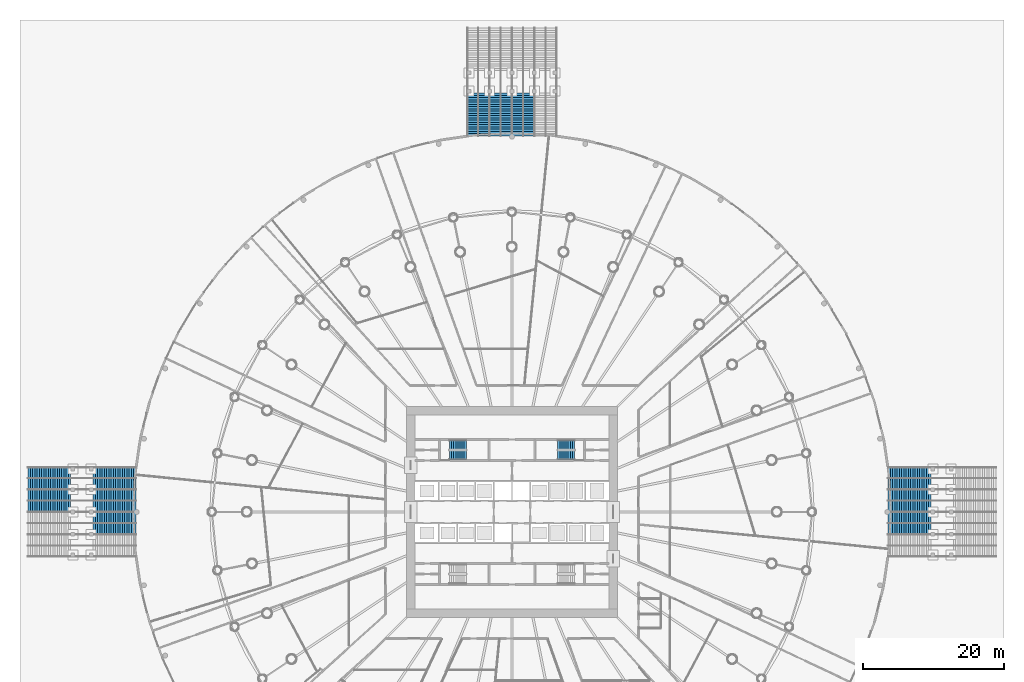
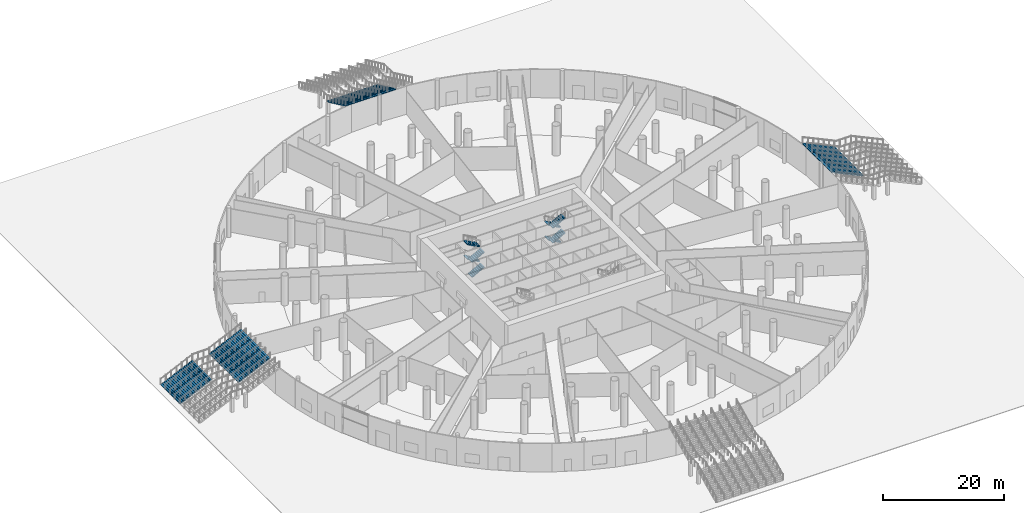
# One storey, part 25 of 33: 19 stair flights, 11 elements without a shape of their own.
"""IFC4 building model written with IfcOpenShell, lengths in metres."""

from ifc_helpers import new_model, si_unit, direction, frame, origin, place, context, subcontext, project, spatial, polyline, outline, extrude, material, type_object, element, aggregate, save


model = new_model("IFC4")

# Units and contexts
model_context = context("Model", 3, precision=1e-05, world=origin(), true_north=direction((0.0, 1.0)))
body_context = subcontext(model_context, "Body", "Model", "MODEL_VIEW")
ifc_project = project(units=[si_unit("LENGTHUNIT", "METRE"), si_unit("AREAUNIT", "SQUARE_METRE"), si_unit("VOLUMEUNIT", "CUBIC_METRE"), si_unit("PLANEANGLEUNIT", "RADIAN"), si_unit("MASSUNIT", "GRAM", prefix="KILO")], contexts=[model_context])

# Site, building, storey
site_placement = place(None, origin())
site = spatial("IfcSite", under=ifc_project, at=site_placement, CompositionType="ELEMENT")
building_placement = place(site_placement, origin())
building = spatial("IfcBuilding", under=site, at=building_placement, Name="Corvane Civic Tower", CompositionType="ELEMENT")
storey_placement = place(building_placement, origin())
storey = spatial("IfcBuildingStorey", under=building, at=storey_placement, Name="G", CompositionType="ELEMENT", Elevation=0.0)

# Stair, stair flight
ifc_material_1 = material(Name="Concrete C40/50", Category="concrete")
stair_type_1 = type_object("IfcStairType", Name="PODIUM-ST-BROAD-EXT", PredefinedType="USERDEFINED", material=ifc_material_1)
stair_1_placement = place(storey_placement, origin())
stair_1 = element("IfcStair", 1, at=stair_1_placement, inside=storey, type_object=stair_type_1, Name="Broad exterior stair north run B", ObjectType="BROAD STEPS", PredefinedType="USERDEFINED")
ifc_material_2 = material(Name="Concrete C40/50", Category="concrete")
stair_flight_type_1 = type_object("IfcStairFlightType", Name="PODIUM-SFL-BROAD-C40", PredefinedType="STRAIGHT", material=ifc_material_2)
stair_flight_1_placement = place(storey_placement, frame((1.60009765625, 59.580078125, 3.0), z_axis=(0.0, 0.0, 1.0), x_axis=(0.0, -1.0, 0.0)))
stair_flight_1 = element("IfcStairFlight", 2, at=stair_flight_1_placement, type_object=stair_flight_type_1, Name="BS1-B flight 2", NumberOfRisers=20, NumberOfTreads=19, PredefinedType="STRAIGHT", RiserHeight=0.15, TreadLength=0.32, context=body_context, shape_type="SweptSolid", body=[
    extrude(outline(polyline([(0.0, 0.0), (0.0, 0.14990234375), (0.320068359375, 0.14990234375), (0.320068359375, 0.300048828125), (0.639892578125, 0.300048828125), (0.639892578125, 0.449951171875), (0.9599609375, 0.449951171875), (0.9599609375, 0.60009765625), (1.280029296875, 0.60009765625), (1.280029296875, 0.75), (1.60009765625, 0.75), (1.60009765625, 0.89990234375), (1.919921875, 0.89990234375), (1.919921875, 1.050048828125), (2.239990234375, 1.050048828125), (2.239990234375, 1.199951171875), (2.56005859375, 1.199951171875), (2.56005859375, 1.35009765625), (2.8798828125, 1.35009765625), (2.8798828125, 1.5), (3.199951171875, 1.5), (3.199951171875, 1.64990234375), (3.52001953125, 1.64990234375), (3.52001953125, 1.800048828125), (3.840087890625, 1.800048828125), (3.840087890625, 1.949951171875), (4.159912109375, 1.949951171875), (4.159912109375, 2.10009765625), (4.47998046875, 2.10009765625), (4.47998046875, 2.25), (4.800048828125, 2.25), (4.800048828125, 2.39990234375), (5.1201171875, 2.39990234375), (5.1201171875, 2.550048828125), (5.43994140625, 2.550048828125), (5.43994140625, 2.699951171875), (5.760009765625, 2.699951171875), (5.760009765625, 2.85009765625), (6.080078125, 2.85009765625), (6.080078125, 3.0), (6.080078125, 2.684326171875), (0.353271484375, 0.0), (0.0, 0.0)])), frame((0.0, 1.60009765625, 0.0), z_axis=(0.0, -1.0, 0.0), x_axis=(1.0, 0.0, 0.0)), (0.0, 0.0, 1.0), 3.199951171875),
])
aggregate(stair_1, [stair_flight_1])

stair_2_placement = place(storey_placement, origin())
stair_2 = element("IfcStair", 3, at=stair_2_placement, inside=storey, type_object=stair_type_1, Name="Broad exterior stair north run C", ObjectType="BROAD STEPS", PredefinedType="USERDEFINED")
stair_flight_2_placement = place(storey_placement, frame((-1.60009765625, 59.580078125, 3.0), z_axis=(0.0, 0.0, 1.0), x_axis=(0.0, -1.0, 0.0)))
stair_flight_2 = element("IfcStairFlight", 4, at=stair_flight_2_placement, type_object=stair_flight_type_1, Name="BS1-C flight 2", NumberOfRisers=20, NumberOfTreads=19, PredefinedType="STRAIGHT", RiserHeight=0.15, TreadLength=0.32, context=body_context, shape_type="SweptSolid", body=[
    extrude(outline(polyline([(0.0, 0.0), (0.0, 0.14990234375), (0.320068359375, 0.14990234375), (0.320068359375, 0.300048828125), (0.639892578125, 0.300048828125), (0.639892578125, 0.449951171875), (0.9599609375, 0.449951171875), (0.9599609375, 0.60009765625), (1.280029296875, 0.60009765625), (1.280029296875, 0.75), (1.60009765625, 0.75), (1.60009765625, 0.89990234375), (1.919921875, 0.89990234375), (1.919921875, 1.050048828125), (2.239990234375, 1.050048828125), (2.239990234375, 1.199951171875), (2.56005859375, 1.199951171875), (2.56005859375, 1.35009765625), (2.8798828125, 1.35009765625), (2.8798828125, 1.5), (3.199951171875, 1.5), (3.199951171875, 1.64990234375), (3.52001953125, 1.64990234375), (3.52001953125, 1.800048828125), (3.840087890625, 1.800048828125), (3.840087890625, 1.949951171875), (4.159912109375, 1.949951171875), (4.159912109375, 2.10009765625), (4.47998046875, 2.10009765625), (4.47998046875, 2.25), (4.800048828125, 2.25), (4.800048828125, 2.39990234375), (5.1201171875, 2.39990234375), (5.1201171875, 2.550048828125), (5.43994140625, 2.550048828125), (5.43994140625, 2.699951171875), (5.760009765625, 2.699951171875), (5.760009765625, 2.85009765625), (6.080078125, 2.85009765625), (6.080078125, 3.0), (6.080078125, 2.684326171875), (0.353271484375, 0.0), (0.0, 0.0)])), frame((0.0, 1.60009765625, 0.0), z_axis=(0.0, -1.0, 0.0), x_axis=(1.0, 0.0, 0.0)), (0.0, 0.0, 1.0), 3.199951171875),
])
aggregate(stair_2, [stair_flight_2])

stair_3_placement = place(storey_placement, origin())
stair_3 = element("IfcStair", 5, at=stair_3_placement, inside=storey, type_object=stair_type_1, Name="Broad exterior stair north run D", ObjectType="BROAD STEPS", PredefinedType="USERDEFINED")
stair_flight_3_placement = place(storey_placement, frame((-4.800048828125, 59.580078125, 3.0), z_axis=(0.0, 0.0, 1.0), x_axis=(0.0, -1.0, 0.0)))
stair_flight_3 = element("IfcStairFlight", 6, at=stair_flight_3_placement, type_object=stair_flight_type_1, Name="BS1-D flight 2", NumberOfRisers=20, NumberOfTreads=19, PredefinedType="STRAIGHT", RiserHeight=0.15, TreadLength=0.32, context=body_context, shape_type="SweptSolid", body=[
    extrude(outline(polyline([(0.0, 0.0), (0.0, 0.14990234375), (0.320068359375, 0.14990234375), (0.320068359375, 0.300048828125), (0.639892578125, 0.300048828125), (0.639892578125, 0.449951171875), (0.9599609375, 0.449951171875), (0.9599609375, 0.60009765625), (1.280029296875, 0.60009765625), (1.280029296875, 0.75), (1.60009765625, 0.75), (1.60009765625, 0.89990234375), (1.919921875, 0.89990234375), (1.919921875, 1.050048828125), (2.239990234375, 1.050048828125), (2.239990234375, 1.199951171875), (2.56005859375, 1.199951171875), (2.56005859375, 1.35009765625), (2.8798828125, 1.35009765625), (2.8798828125, 1.5), (3.199951171875, 1.5), (3.199951171875, 1.64990234375), (3.52001953125, 1.64990234375), (3.52001953125, 1.800048828125), (3.840087890625, 1.800048828125), (3.840087890625, 1.949951171875), (4.159912109375, 1.949951171875), (4.159912109375, 2.10009765625), (4.47998046875, 2.10009765625), (4.47998046875, 2.25), (4.800048828125, 2.25), (4.800048828125, 2.39990234375), (5.1201171875, 2.39990234375), (5.1201171875, 2.550048828125), (5.43994140625, 2.550048828125), (5.43994140625, 2.699951171875), (5.760009765625, 2.699951171875), (5.760009765625, 2.85009765625), (6.080078125, 2.85009765625), (6.080078125, 3.0), (6.080078125, 2.684326171875), (0.353271484375, 0.0), (0.0, 0.0)])), frame((0.0, 1.60009765625, 0.0), z_axis=(0.0, -1.0, 0.0), x_axis=(1.0, 0.0, 0.0)), (0.0, 0.0, 1.0), 3.199951171875),
])
aggregate(stair_3, [stair_flight_3])

stair_4_placement = place(storey_placement, origin())
stair_4 = element("IfcStair", 7, at=stair_4_placement, inside=storey, type_object=stair_type_1, Name="Broad exterior stair east run B", ObjectType="BROAD STEPS", PredefinedType="USERDEFINED")
stair_flight_4_placement = place(storey_placement, frame((59.580078125, -1.60009765625, 3.0), z_axis=(0.0, 0.0, 1.0), x_axis=(-1.0, 0.0, 0.0)))
stair_flight_4 = element("IfcStairFlight", 8, at=stair_flight_4_placement, type_object=stair_flight_type_1, Name="BS2-B flight 2", NumberOfRisers=20, NumberOfTreads=19, PredefinedType="STRAIGHT", RiserHeight=0.15, TreadLength=0.32, context=body_context, shape_type="SweptSolid", body=[
    extrude(outline(polyline([(0.0, 0.0), (0.0, 0.14990234375), (0.320068359375, 0.14990234375), (0.320068359375, 0.300048828125), (0.639892578125, 0.300048828125), (0.639892578125, 0.449951171875), (0.9599609375, 0.449951171875), (0.9599609375, 0.60009765625), (1.280029296875, 0.60009765625), (1.280029296875, 0.75), (1.60009765625, 0.75), (1.60009765625, 0.89990234375), (1.919921875, 0.89990234375), (1.919921875, 1.050048828125), (2.239990234375, 1.050048828125), (2.239990234375, 1.199951171875), (2.56005859375, 1.199951171875), (2.56005859375, 1.35009765625), (2.8798828125, 1.35009765625), (2.8798828125, 1.5), (3.199951171875, 1.5), (3.199951171875, 1.64990234375), (3.52001953125, 1.64990234375), (3.52001953125, 1.800048828125), (3.840087890625, 1.800048828125), (3.840087890625, 1.949951171875), (4.159912109375, 1.949951171875), (4.159912109375, 2.10009765625), (4.47998046875, 2.10009765625), (4.47998046875, 2.25), (4.800048828125, 2.25), (4.800048828125, 2.39990234375), (5.1201171875, 2.39990234375), (5.1201171875, 2.550048828125), (5.43994140625, 2.550048828125), (5.43994140625, 2.699951171875), (5.760009765625, 2.699951171875), (5.760009765625, 2.85009765625), (6.080078125, 2.85009765625), (6.080078125, 3.0), (6.080078125, 2.684326171875), (0.353271484375, 0.0), (0.0, 0.0)])), frame((0.0, 1.60009765625, 0.0), z_axis=(0.0, -1.0, 0.0), x_axis=(1.0, 0.0, 0.0)), (0.0, 0.0, 1.0), 3.199951171875),
])
aggregate(stair_4, [stair_flight_4])

stair_5_placement = place(storey_placement, origin())
stair_5 = element("IfcStair", 9, at=stair_5_placement, inside=storey, type_object=stair_type_1, Name="Broad exterior stair east run C", ObjectType="BROAD STEPS", PredefinedType="USERDEFINED")
stair_flight_5_placement = place(storey_placement, frame((59.580078125, 1.60009765625, 3.0), z_axis=(0.0, 0.0, 1.0), x_axis=(-1.0, 0.0, 0.0)))
stair_flight_5 = element("IfcStairFlight", 10, at=stair_flight_5_placement, type_object=stair_flight_type_1, Name="BS2-C flight 2", NumberOfRisers=20, NumberOfTreads=19, PredefinedType="STRAIGHT", RiserHeight=0.15, TreadLength=0.32, context=body_context, shape_type="SweptSolid", body=[
    extrude(outline(polyline([(0.0, 0.0), (0.0, 0.14990234375), (0.320068359375, 0.14990234375), (0.320068359375, 0.300048828125), (0.639892578125, 0.300048828125), (0.639892578125, 0.449951171875), (0.9599609375, 0.449951171875), (0.9599609375, 0.60009765625), (1.280029296875, 0.60009765625), (1.280029296875, 0.75), (1.60009765625, 0.75), (1.60009765625, 0.89990234375), (1.919921875, 0.89990234375), (1.919921875, 1.050048828125), (2.239990234375, 1.050048828125), (2.239990234375, 1.199951171875), (2.56005859375, 1.199951171875), (2.56005859375, 1.35009765625), (2.8798828125, 1.35009765625), (2.8798828125, 1.5), (3.199951171875, 1.5), (3.199951171875, 1.64990234375), (3.52001953125, 1.64990234375), (3.52001953125, 1.800048828125), (3.840087890625, 1.800048828125), (3.840087890625, 1.949951171875), (4.159912109375, 1.949951171875), (4.159912109375, 2.10009765625), (4.47998046875, 2.10009765625), (4.47998046875, 2.25), (4.800048828125, 2.25), (4.800048828125, 2.39990234375), (5.1201171875, 2.39990234375), (5.1201171875, 2.550048828125), (5.43994140625, 2.550048828125), (5.43994140625, 2.699951171875), (5.760009765625, 2.699951171875), (5.760009765625, 2.85009765625), (6.080078125, 2.85009765625), (6.080078125, 3.0), (6.080078125, 2.684326171875), (0.353271484375, 0.0), (0.0, 0.0)])), frame((0.0, 1.60009765625, 0.0), z_axis=(0.0, -1.0, 0.0), x_axis=(1.0, 0.0, 0.0)), (0.0, 0.0, 1.0), 3.199951171875),
])
aggregate(stair_5, [stair_flight_5])

stair_6_placement = place(storey_placement, origin())
stair_6 = element("IfcStair", 11, at=stair_6_placement, inside=storey, type_object=stair_type_1, Name="Broad exterior stair east run D", ObjectType="BROAD STEPS", PredefinedType="USERDEFINED")
stair_flight_6_placement = place(storey_placement, frame((59.580078125, 4.800048828125, 3.0), z_axis=(0.0, 0.0, 1.0), x_axis=(-1.0, 0.0, 0.0)))
stair_flight_6 = element("IfcStairFlight", 12, at=stair_flight_6_placement, type_object=stair_flight_type_1, Name="BS2-D flight 2", NumberOfRisers=20, NumberOfTreads=19, PredefinedType="STRAIGHT", RiserHeight=0.15, TreadLength=0.32, context=body_context, shape_type="SweptSolid", body=[
    extrude(outline(polyline([(0.0, 0.0), (0.0, 0.14990234375), (0.320068359375, 0.14990234375), (0.320068359375, 0.300048828125), (0.639892578125, 0.300048828125), (0.639892578125, 0.449951171875), (0.9599609375, 0.449951171875), (0.9599609375, 0.60009765625), (1.280029296875, 0.60009765625), (1.280029296875, 0.75), (1.60009765625, 0.75), (1.60009765625, 0.89990234375), (1.919921875, 0.89990234375), (1.919921875, 1.050048828125), (2.239990234375, 1.050048828125), (2.239990234375, 1.199951171875), (2.56005859375, 1.199951171875), (2.56005859375, 1.35009765625), (2.8798828125, 1.35009765625), (2.8798828125, 1.5), (3.199951171875, 1.5), (3.199951171875, 1.64990234375), (3.52001953125, 1.64990234375), (3.52001953125, 1.800048828125), (3.840087890625, 1.800048828125), (3.840087890625, 1.949951171875), (4.159912109375, 1.949951171875), (4.159912109375, 2.10009765625), (4.47998046875, 2.10009765625), (4.47998046875, 2.25), (4.800048828125, 2.25), (4.800048828125, 2.39990234375), (5.1201171875, 2.39990234375), (5.1201171875, 2.550048828125), (5.43994140625, 2.550048828125), (5.43994140625, 2.699951171875), (5.760009765625, 2.699951171875), (5.760009765625, 2.85009765625), (6.080078125, 2.85009765625), (6.080078125, 3.0), (6.080078125, 2.684326171875), (0.353271484375, 0.0), (0.0, 0.0)])), frame((0.0, 1.60009765625, 0.0), z_axis=(0.0, -1.0, 0.0), x_axis=(1.0, 0.0, 0.0)), (0.0, 0.0, 1.0), 3.199951171875),
])
aggregate(stair_6, [stair_flight_6])

# Stair, stair flights
stair_7_placement = place(storey_placement, origin())
stair_7 = element("IfcStair", 13, at=stair_7_placement, inside=storey, type_object=stair_type_1, Name="Broad exterior stair west run A", ObjectType="BROAD STEPS", PredefinedType="USERDEFINED")
stair_flight_7_placement = place(storey_placement, frame((-68.860107421875, 4.800048828125, 0.0), z_axis=(0.0, 0.0, 1.0), x_axis=(1.0, 0.0, 0.0)))
stair_flight_7 = element("IfcStairFlight", 14, at=stair_flight_7_placement, type_object=stair_flight_type_1, Name="BS4-A flight 1", NumberOfRisers=20, NumberOfTreads=19, PredefinedType="STRAIGHT", RiserHeight=0.15, TreadLength=0.32, context=body_context, shape_type="SweptSolid", body=[
    extrude(outline(polyline([(0.0, 0.0), (0.0, 0.14990234375), (0.320068359375, 0.14990234375), (0.320068359375, 0.300048828125), (0.639892578125, 0.300048828125), (0.639892578125, 0.449951171875), (0.9599609375, 0.449951171875), (0.9599609375, 0.60009765625), (1.280029296875, 0.60009765625), (1.280029296875, 0.75), (1.60009765625, 0.75), (1.60009765625, 0.89990234375), (1.919921875, 0.89990234375), (1.919921875, 1.050048828125), (2.239990234375, 1.050048828125), (2.239990234375, 1.199951171875), (2.56005859375, 1.199951171875), (2.56005859375, 1.35009765625), (2.8798828125, 1.35009765625), (2.8798828125, 1.5), (3.199951171875, 1.5), (3.199951171875, 1.64990234375), (3.52001953125, 1.64990234375), (3.52001953125, 1.800048828125), (3.840087890625, 1.800048828125), (3.840087890625, 1.949951171875), (4.159912109375, 1.949951171875), (4.159912109375, 2.10009765625), (4.47998046875, 2.10009765625), (4.47998046875, 2.25), (4.800048828125, 2.25), (4.800048828125, 2.39990234375), (5.1201171875, 2.39990234375), (5.1201171875, 2.550048828125), (5.43994140625, 2.550048828125), (5.43994140625, 2.699951171875), (5.760009765625, 2.699951171875), (5.760009765625, 2.85009765625), (6.080078125, 2.85009765625), (6.080078125, 3.0), (6.080078125, 2.684326171875), (0.353271484375, 0.0), (0.0, 0.0)])), frame((0.0, 1.60009765625, 0.0), z_axis=(0.0, -1.0, 0.0), x_axis=(1.0, 0.0, 0.0)), (0.0, 0.0, 1.0), 3.199951171875),
])
stair_flight_8_placement = place(storey_placement, frame((-59.580078125, 4.800048828125, 3.0), z_axis=(0.0, 0.0, 1.0), x_axis=(1.0, 0.0, 0.0)))
stair_flight_8 = element("IfcStairFlight", 15, at=stair_flight_8_placement, type_object=stair_flight_type_1, Name="BS4-A flight 2", NumberOfRisers=20, NumberOfTreads=19, PredefinedType="STRAIGHT", RiserHeight=0.15, TreadLength=0.32, context=body_context, shape_type="SweptSolid", body=[
    extrude(outline(polyline([(0.0, 0.0), (0.0, 0.14990234375), (0.320068359375, 0.14990234375), (0.320068359375, 0.300048828125), (0.639892578125, 0.300048828125), (0.639892578125, 0.449951171875), (0.9599609375, 0.449951171875), (0.9599609375, 0.60009765625), (1.280029296875, 0.60009765625), (1.280029296875, 0.75), (1.60009765625, 0.75), (1.60009765625, 0.89990234375), (1.919921875, 0.89990234375), (1.919921875, 1.050048828125), (2.239990234375, 1.050048828125), (2.239990234375, 1.199951171875), (2.56005859375, 1.199951171875), (2.56005859375, 1.35009765625), (2.8798828125, 1.35009765625), (2.8798828125, 1.5), (3.199951171875, 1.5), (3.199951171875, 1.64990234375), (3.52001953125, 1.64990234375), (3.52001953125, 1.800048828125), (3.840087890625, 1.800048828125), (3.840087890625, 1.949951171875), (4.159912109375, 1.949951171875), (4.159912109375, 2.10009765625), (4.47998046875, 2.10009765625), (4.47998046875, 2.25), (4.800048828125, 2.25), (4.800048828125, 2.39990234375), (5.1201171875, 2.39990234375), (5.1201171875, 2.550048828125), (5.43994140625, 2.550048828125), (5.43994140625, 2.699951171875), (5.760009765625, 2.699951171875), (5.760009765625, 2.85009765625), (6.080078125, 2.85009765625), (6.080078125, 3.0), (6.080078125, 2.684326171875), (0.353271484375, 0.0), (0.0, 0.0)])), frame((0.0, 1.60009765625, 0.0), z_axis=(0.0, -1.0, 0.0), x_axis=(1.0, 0.0, 0.0)), (0.0, 0.0, 1.0), 3.199951171875),
])
aggregate(stair_7, [stair_flight_7, stair_flight_8])

stair_8_placement = place(storey_placement, origin())
stair_8 = element("IfcStair", 16, at=stair_8_placement, inside=storey, type_object=stair_type_1, Name="Broad exterior stair west run B", ObjectType="BROAD STEPS", PredefinedType="USERDEFINED")
stair_flight_9_placement = place(storey_placement, frame((-68.860107421875, 1.60009765625, 0.0), z_axis=(0.0, 0.0, 1.0), x_axis=(1.0, 0.0, 0.0)))
stair_flight_9 = element("IfcStairFlight", 17, at=stair_flight_9_placement, type_object=stair_flight_type_1, Name="BS4-B flight 1", NumberOfRisers=20, NumberOfTreads=19, PredefinedType="STRAIGHT", RiserHeight=0.15, TreadLength=0.32, context=body_context, shape_type="SweptSolid", body=[
    extrude(outline(polyline([(0.0, 0.0), (0.0, 0.14990234375), (0.320068359375, 0.14990234375), (0.320068359375, 0.300048828125), (0.639892578125, 0.300048828125), (0.639892578125, 0.449951171875), (0.9599609375, 0.449951171875), (0.9599609375, 0.60009765625), (1.280029296875, 0.60009765625), (1.280029296875, 0.75), (1.60009765625, 0.75), (1.60009765625, 0.89990234375), (1.919921875, 0.89990234375), (1.919921875, 1.050048828125), (2.239990234375, 1.050048828125), (2.239990234375, 1.199951171875), (2.56005859375, 1.199951171875), (2.56005859375, 1.35009765625), (2.8798828125, 1.35009765625), (2.8798828125, 1.5), (3.199951171875, 1.5), (3.199951171875, 1.64990234375), (3.52001953125, 1.64990234375), (3.52001953125, 1.800048828125), (3.840087890625, 1.800048828125), (3.840087890625, 1.949951171875), (4.159912109375, 1.949951171875), (4.159912109375, 2.10009765625), (4.47998046875, 2.10009765625), (4.47998046875, 2.25), (4.800048828125, 2.25), (4.800048828125, 2.39990234375), (5.1201171875, 2.39990234375), (5.1201171875, 2.550048828125), (5.43994140625, 2.550048828125), (5.43994140625, 2.699951171875), (5.760009765625, 2.699951171875), (5.760009765625, 2.85009765625), (6.080078125, 2.85009765625), (6.080078125, 3.0), (6.080078125, 2.684326171875), (0.353271484375, 0.0), (0.0, 0.0)])), frame((0.0, 1.60009765625, 0.0), z_axis=(0.0, -1.0, 0.0), x_axis=(1.0, 0.0, 0.0)), (0.0, 0.0, 1.0), 3.199951171875),
])
stair_flight_10_placement = place(storey_placement, frame((-59.580078125, 1.60009765625, 3.0), z_axis=(0.0, 0.0, 1.0), x_axis=(1.0, 0.0, 0.0)))
stair_flight_10 = element("IfcStairFlight", 18, at=stair_flight_10_placement, type_object=stair_flight_type_1, Name="BS4-B flight 2", NumberOfRisers=20, NumberOfTreads=19, PredefinedType="STRAIGHT", RiserHeight=0.15, TreadLength=0.32, context=body_context, shape_type="SweptSolid", body=[
    extrude(outline(polyline([(0.0, 0.0), (0.0, 0.14990234375), (0.320068359375, 0.14990234375), (0.320068359375, 0.300048828125), (0.639892578125, 0.300048828125), (0.639892578125, 0.449951171875), (0.9599609375, 0.449951171875), (0.9599609375, 0.60009765625), (1.280029296875, 0.60009765625), (1.280029296875, 0.75), (1.60009765625, 0.75), (1.60009765625, 0.89990234375), (1.919921875, 0.89990234375), (1.919921875, 1.050048828125), (2.239990234375, 1.050048828125), (2.239990234375, 1.199951171875), (2.56005859375, 1.199951171875), (2.56005859375, 1.35009765625), (2.8798828125, 1.35009765625), (2.8798828125, 1.5), (3.199951171875, 1.5), (3.199951171875, 1.64990234375), (3.52001953125, 1.64990234375), (3.52001953125, 1.800048828125), (3.840087890625, 1.800048828125), (3.840087890625, 1.949951171875), (4.159912109375, 1.949951171875), (4.159912109375, 2.10009765625), (4.47998046875, 2.10009765625), (4.47998046875, 2.25), (4.800048828125, 2.25), (4.800048828125, 2.39990234375), (5.1201171875, 2.39990234375), (5.1201171875, 2.550048828125), (5.43994140625, 2.550048828125), (5.43994140625, 2.699951171875), (5.760009765625, 2.699951171875), (5.760009765625, 2.85009765625), (6.080078125, 2.85009765625), (6.080078125, 3.0), (6.080078125, 2.684326171875), (0.353271484375, 0.0), (0.0, 0.0)])), frame((0.0, 1.60009765625, 0.0), z_axis=(0.0, -1.0, 0.0), x_axis=(1.0, 0.0, 0.0)), (0.0, 0.0, 1.0), 3.199951171875),
])
aggregate(stair_8, [stair_flight_9, stair_flight_10])

# Stair, stair flight
stair_9_placement = place(storey_placement, origin())
stair_9 = element("IfcStair", 19, at=stair_9_placement, inside=storey, type_object=stair_type_1, Name="Broad exterior stair west run C", ObjectType="BROAD STEPS", PredefinedType="USERDEFINED")
stair_flight_11_placement = place(storey_placement, frame((-59.580078125, -1.60009765625, 3.0), z_axis=(0.0, 0.0, 1.0), x_axis=(1.0, 0.0, 0.0)))
stair_flight_11 = element("IfcStairFlight", 20, at=stair_flight_11_placement, type_object=stair_flight_type_1, Name="BS4-C flight 2", NumberOfRisers=20, NumberOfTreads=19, PredefinedType="STRAIGHT", RiserHeight=0.15, TreadLength=0.32, context=body_context, shape_type="SweptSolid", body=[
    extrude(outline(polyline([(0.0, 0.0), (0.0, 0.14990234375), (0.320068359375, 0.14990234375), (0.320068359375, 0.300048828125), (0.639892578125, 0.300048828125), (0.639892578125, 0.449951171875), (0.9599609375, 0.449951171875), (0.9599609375, 0.60009765625), (1.280029296875, 0.60009765625), (1.280029296875, 0.75), (1.60009765625, 0.75), (1.60009765625, 0.89990234375), (1.919921875, 0.89990234375), (1.919921875, 1.050048828125), (2.239990234375, 1.050048828125), (2.239990234375, 1.199951171875), (2.56005859375, 1.199951171875), (2.56005859375, 1.35009765625), (2.8798828125, 1.35009765625), (2.8798828125, 1.5), (3.199951171875, 1.5), (3.199951171875, 1.64990234375), (3.52001953125, 1.64990234375), (3.52001953125, 1.800048828125), (3.840087890625, 1.800048828125), (3.840087890625, 1.949951171875), (4.159912109375, 1.949951171875), (4.159912109375, 2.10009765625), (4.47998046875, 2.10009765625), (4.47998046875, 2.25), (4.800048828125, 2.25), (4.800048828125, 2.39990234375), (5.1201171875, 2.39990234375), (5.1201171875, 2.550048828125), (5.43994140625, 2.550048828125), (5.43994140625, 2.699951171875), (5.760009765625, 2.699951171875), (5.760009765625, 2.85009765625), (6.080078125, 2.85009765625), (6.080078125, 3.0), (6.080078125, 2.684326171875), (0.353271484375, 0.0), (0.0, 0.0)])), frame((0.0, 1.60009765625, 0.0), z_axis=(0.0, -1.0, 0.0), x_axis=(1.0, 0.0, 0.0)), (0.0, 0.0, 1.0), 3.199951171875),
])
aggregate(stair_9, [stair_flight_11])

# Stair, stair flights
ifc_material_3 = material(Name="Concrete C40/50", Category="concrete")
stair_type_2 = type_object("IfcStairType", Name="ST-STAIR-HALFTURN", PredefinedType="HALF_TURN_STAIR", material=ifc_material_3)
stair_10_placement = place(storey_placement, origin())
stair_10 = element("IfcStair", 21, at=stair_10_placement, inside=storey, type_object=stair_type_2, Name="G Exit stair ST1", PredefinedType="HALF_TURN_STAIR")
ifc_material_4 = material(Name="Concrete C40/50", Category="concrete")
stair_flight_type_2 = type_object("IfcStairFlightType", Name="ST-FLIGHT-RC", PredefinedType="STRAIGHT", material=ifc_material_4)
stair_flight_12_placement = place(storey_placement, frame((8.89990234375, 9.550048828125, 0.0), z_axis=(0.0, 0.0, 1.0), x_axis=(-1.0, 0.0, 0.0)))
stair_flight_12 = element("IfcStairFlight", 22, at=stair_flight_12_placement, type_object=stair_flight_type_2, Name="ST1 flight 1", NumberOfRisers=9, NumberOfTreads=8, PredefinedType="STRAIGHT", RiserHeight=0.166666667, TreadLength=0.3, context=body_context, shape_type="SweptSolid", body=[
    extrude(outline(polyline([(0.0, 0.0), (0.0, 0.166748046875), (0.300048828125, 0.166748046875), (0.300048828125, 0.333251953125), (0.60009765625, 0.333251953125), (0.60009765625, 0.5), (0.89990234375, 0.5), (0.89990234375, 0.666748046875), (1.199951171875, 0.666748046875), (1.199951171875, 0.833251953125), (1.5, 0.833251953125), (1.5, 1.0), (1.800048828125, 1.0), (1.800048828125, 1.166748046875), (2.10009765625, 1.166748046875), (2.10009765625, 1.333251953125), (2.39990234375, 1.333251953125), (2.39990234375, 1.5), (2.39990234375, 1.161865234375), (0.30859375, 0.0), (0.0, 0.0)])), frame((0.0, 0.64990234375, 0.0), z_axis=(0.0, -1.0, 0.0), x_axis=(1.0, 0.0, 0.0)), (0.0, 0.0, 1.0), 1.300048828125),
])
stair_flight_13_placement = place(storey_placement, frame((6.5, 8.10009765625, 1.5), z_axis=(0.0, 0.0, 1.0), x_axis=(1.0, 0.0, 0.0)))
stair_flight_13 = element("IfcStairFlight", 23, at=stair_flight_13_placement, type_object=stair_flight_type_2, Name="ST1 flight 2", NumberOfRisers=9, NumberOfTreads=8, PredefinedType="STRAIGHT", RiserHeight=0.166666667, TreadLength=0.3, context=body_context, shape_type="SweptSolid", body=[
    extrude(outline(polyline([(0.0, 0.0), (0.0, 0.166748046875), (0.300048828125, 0.166748046875), (0.300048828125, 0.333251953125), (0.60009765625, 0.333251953125), (0.60009765625, 0.5), (0.89990234375, 0.5), (0.89990234375, 0.666748046875), (1.199951171875, 0.666748046875), (1.199951171875, 0.833251953125), (1.5, 0.833251953125), (1.5, 1.0), (1.800048828125, 1.0), (1.800048828125, 1.166748046875), (2.10009765625, 1.166748046875), (2.10009765625, 1.333251953125), (2.39990234375, 1.333251953125), (2.39990234375, 1.5), (2.39990234375, 1.161865234375), (0.30859375, 0.0), (0.0, 0.0)])), frame((0.0, 0.64990234375, 0.0), z_axis=(0.0, -1.0, 0.0), x_axis=(1.0, 0.0, 0.0)), (0.0, 0.0, 1.0), 1.300048828125),
])
stair_flight_14_placement = place(storey_placement, frame((8.89990234375, 9.550048828125, 3.0), z_axis=(0.0, 0.0, 1.0), x_axis=(-1.0, 0.0, 0.0)))
stair_flight_14 = element("IfcStairFlight", 24, at=stair_flight_14_placement, type_object=stair_flight_type_2, Name="ST1 flight 3", NumberOfRisers=9, NumberOfTreads=8, PredefinedType="STRAIGHT", RiserHeight=0.166666667, TreadLength=0.3, context=body_context, shape_type="SweptSolid", body=[
    extrude(outline(polyline([(0.0, 0.0), (0.0, 0.166748046875), (0.300048828125, 0.166748046875), (0.300048828125, 0.333251953125), (0.60009765625, 0.333251953125), (0.60009765625, 0.5), (0.89990234375, 0.5), (0.89990234375, 0.666748046875), (1.199951171875, 0.666748046875), (1.199951171875, 0.833251953125), (1.5, 0.833251953125), (1.5, 1.0), (1.800048828125, 1.0), (1.800048828125, 1.166748046875), (2.10009765625, 1.166748046875), (2.10009765625, 1.333251953125), (2.39990234375, 1.333251953125), (2.39990234375, 1.5), (2.39990234375, 1.161865234375), (0.30859375, 0.0), (0.0, 0.0)])), frame((0.0, 0.64990234375, 0.0), z_axis=(0.0, -1.0, 0.0), x_axis=(1.0, 0.0, 0.0)), (0.0, 0.0, 1.0), 1.300048828125),
])
stair_flight_15_placement = place(storey_placement, frame((6.5, 8.10009765625, 4.5), z_axis=(0.0, 0.0, 1.0), x_axis=(1.0, 0.0, 0.0)))
stair_flight_15 = element("IfcStairFlight", 25, at=stair_flight_15_placement, type_object=stair_flight_type_2, Name="ST1 flight 4", NumberOfRisers=9, NumberOfTreads=8, PredefinedType="STRAIGHT", RiserHeight=0.166666667, TreadLength=0.3, context=body_context, shape_type="SweptSolid", body=[
    extrude(outline(polyline([(0.0, 0.0), (0.0, 0.166748046875), (0.300048828125, 0.166748046875), (0.300048828125, 0.333251953125), (0.60009765625, 0.333251953125), (0.60009765625, 0.5), (0.89990234375, 0.5), (0.89990234375, 0.666748046875), (1.199951171875, 0.666748046875), (1.199951171875, 0.833251953125), (1.5, 0.833251953125), (1.5, 1.0), (1.800048828125, 1.0), (1.800048828125, 1.166748046875), (2.10009765625, 1.166748046875), (2.10009765625, 1.333251953125), (2.39990234375, 1.333251953125), (2.39990234375, 1.5), (2.39990234375, 1.161865234375), (0.30859375, 0.0), (0.0, 0.0)])), frame((0.0, 0.64990234375, 0.0), z_axis=(0.0, -1.0, 0.0), x_axis=(1.0, 0.0, 0.0)), (0.0, 0.0, 1.0), 1.300048828125),
])
aggregate(stair_10, [stair_flight_12, stair_flight_13, stair_flight_14, stair_flight_15])

stair_11_placement = place(storey_placement, origin())
stair_11 = element("IfcStair", 26, at=stair_11_placement, inside=storey, type_object=stair_type_2, Name="G Exit stair ST4", PredefinedType="HALF_TURN_STAIR")
stair_flight_16_placement = place(storey_placement, frame((-8.89990234375, 8.10009765625, 0.0), z_axis=(0.0, 0.0, 1.0), x_axis=(1.0, 0.0, 0.0)))
stair_flight_16 = element("IfcStairFlight", 27, at=stair_flight_16_placement, type_object=stair_flight_type_2, Name="ST4 flight 1", NumberOfRisers=9, NumberOfTreads=8, PredefinedType="STRAIGHT", RiserHeight=0.166666667, TreadLength=0.3, context=body_context, shape_type="SweptSolid", body=[
    extrude(outline(polyline([(0.0, 0.0), (0.0, 0.166748046875), (0.300048828125, 0.166748046875), (0.300048828125, 0.333251953125), (0.60009765625, 0.333251953125), (0.60009765625, 0.5), (0.89990234375, 0.5), (0.89990234375, 0.666748046875), (1.199951171875, 0.666748046875), (1.199951171875, 0.833251953125), (1.5, 0.833251953125), (1.5, 1.0), (1.800048828125, 1.0), (1.800048828125, 1.166748046875), (2.10009765625, 1.166748046875), (2.10009765625, 1.333251953125), (2.39990234375, 1.333251953125), (2.39990234375, 1.5), (2.39990234375, 1.161865234375), (0.30859375, 0.0), (0.0, 0.0)])), frame((0.0, 0.64990234375, 0.0), z_axis=(0.0, -1.0, 0.0), x_axis=(1.0, 0.0, 0.0)), (0.0, 0.0, 1.0), 1.300048828125),
])
stair_flight_17_placement = place(storey_placement, frame((-6.5, 9.550048828125, 1.5), z_axis=(0.0, 0.0, 1.0), x_axis=(-1.0, 0.0, 0.0)))
stair_flight_17 = element("IfcStairFlight", 28, at=stair_flight_17_placement, type_object=stair_flight_type_2, Name="ST4 flight 2", NumberOfRisers=9, NumberOfTreads=8, PredefinedType="STRAIGHT", RiserHeight=0.166666667, TreadLength=0.3, context=body_context, shape_type="SweptSolid", body=[
    extrude(outline(polyline([(0.0, 0.0), (0.0, 0.166748046875), (0.300048828125, 0.166748046875), (0.300048828125, 0.333251953125), (0.60009765625, 0.333251953125), (0.60009765625, 0.5), (0.89990234375, 0.5), (0.89990234375, 0.666748046875), (1.199951171875, 0.666748046875), (1.199951171875, 0.833251953125), (1.5, 0.833251953125), (1.5, 1.0), (1.800048828125, 1.0), (1.800048828125, 1.166748046875), (2.10009765625, 1.166748046875), (2.10009765625, 1.333251953125), (2.39990234375, 1.333251953125), (2.39990234375, 1.5), (2.39990234375, 1.161865234375), (0.30859375, 0.0), (0.0, 0.0)])), frame((0.0, 0.64990234375, 0.0), z_axis=(0.0, -1.0, 0.0), x_axis=(1.0, 0.0, 0.0)), (0.0, 0.0, 1.0), 1.300048828125),
])
stair_flight_18_placement = place(storey_placement, frame((-8.89990234375, 8.10009765625, 3.0), z_axis=(0.0, 0.0, 1.0), x_axis=(1.0, 0.0, 0.0)))
stair_flight_18 = element("IfcStairFlight", 29, at=stair_flight_18_placement, type_object=stair_flight_type_2, Name="ST4 flight 3", NumberOfRisers=9, NumberOfTreads=8, PredefinedType="STRAIGHT", RiserHeight=0.166666667, TreadLength=0.3, context=body_context, shape_type="SweptSolid", body=[
    extrude(outline(polyline([(0.0, 0.0), (0.0, 0.166748046875), (0.300048828125, 0.166748046875), (0.300048828125, 0.333251953125), (0.60009765625, 0.333251953125), (0.60009765625, 0.5), (0.89990234375, 0.5), (0.89990234375, 0.666748046875), (1.199951171875, 0.666748046875), (1.199951171875, 0.833251953125), (1.5, 0.833251953125), (1.5, 1.0), (1.800048828125, 1.0), (1.800048828125, 1.166748046875), (2.10009765625, 1.166748046875), (2.10009765625, 1.333251953125), (2.39990234375, 1.333251953125), (2.39990234375, 1.5), (2.39990234375, 1.161865234375), (0.30859375, 0.0), (0.0, 0.0)])), frame((0.0, 0.64990234375, 0.0), z_axis=(0.0, -1.0, 0.0), x_axis=(1.0, 0.0, 0.0)), (0.0, 0.0, 1.0), 1.300048828125),
])
stair_flight_19_placement = place(storey_placement, frame((-6.5, 9.550048828125, 4.5), z_axis=(0.0, 0.0, 1.0), x_axis=(-1.0, 0.0, 0.0)))
stair_flight_19 = element("IfcStairFlight", 30, at=stair_flight_19_placement, type_object=stair_flight_type_2, Name="ST4 flight 4", NumberOfRisers=9, NumberOfTreads=8, PredefinedType="STRAIGHT", RiserHeight=0.166666667, TreadLength=0.3, context=body_context, shape_type="SweptSolid", body=[
    extrude(outline(polyline([(0.0, 0.0), (0.0, 0.166748046875), (0.300048828125, 0.166748046875), (0.300048828125, 0.333251953125), (0.60009765625, 0.333251953125), (0.60009765625, 0.5), (0.89990234375, 0.5), (0.89990234375, 0.666748046875), (1.199951171875, 0.666748046875), (1.199951171875, 0.833251953125), (1.5, 0.833251953125), (1.5, 1.0), (1.800048828125, 1.0), (1.800048828125, 1.166748046875), (2.10009765625, 1.166748046875), (2.10009765625, 1.333251953125), (2.39990234375, 1.333251953125), (2.39990234375, 1.5), (2.39990234375, 1.161865234375), (0.30859375, 0.0), (0.0, 0.0)])), frame((0.0, 0.64990234375, 0.0), z_axis=(0.0, -1.0, 0.0), x_axis=(1.0, 0.0, 0.0)), (0.0, 0.0, 1.0), 1.300048828125),
])
aggregate(stair_11, [stair_flight_16, stair_flight_17, stair_flight_18, stair_flight_19])

save(model, "model.ifc")
